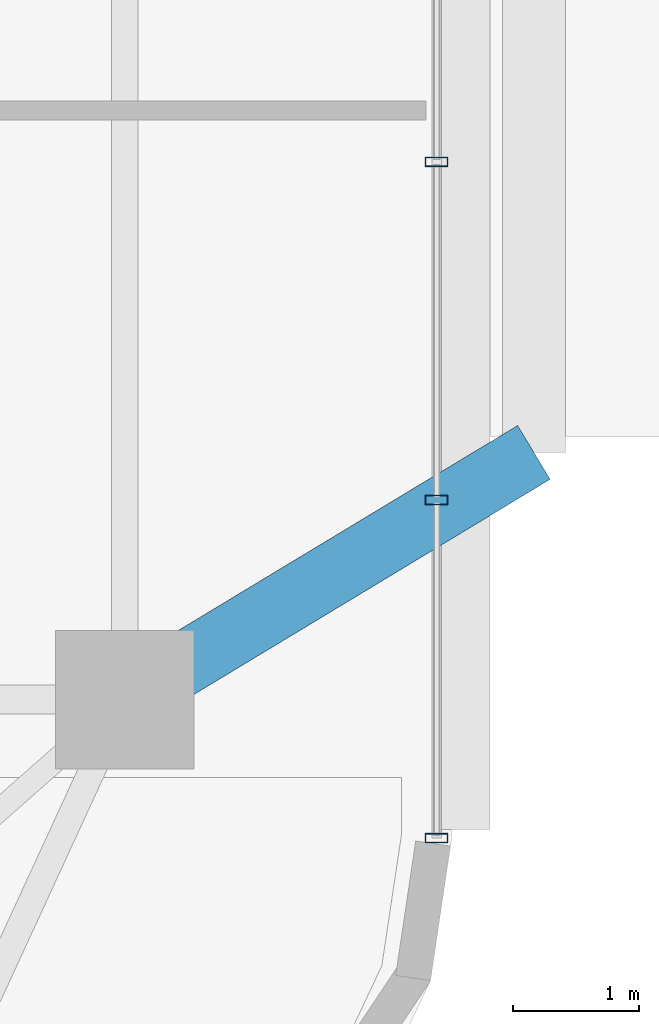
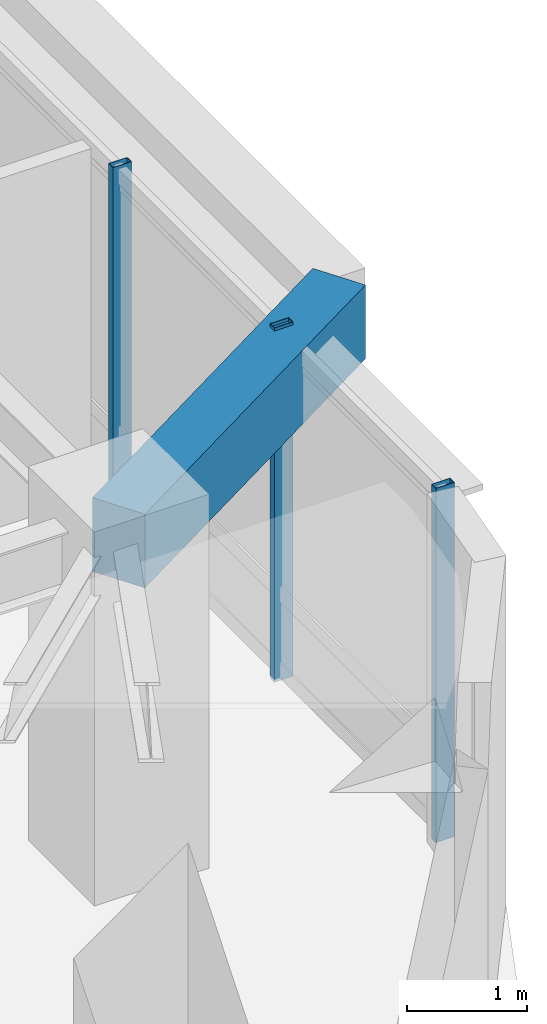
# One storey, part 2 of 15: 3 members, 1 beam, 1 element without a shape of its own.
"""IFC4 building model written with IfcOpenShell, lengths in metres."""

from ifc_helpers import new_model, si_unit, direction, frame, origin, origin_2d, place, context, subcontext, project, spatial, rectangle, hollow_rectangle, extrude, material, material_profile, profile_set, type_object, element, aggregate, save


model = new_model("IFC4")

# Units and contexts
model_context = context("Model", 3, precision=1e-05, world=origin(), true_north=direction((0.0, 1.0)))
body_context = subcontext(model_context, "Body", "Model", "MODEL_VIEW")
ifc_project = project(units=[si_unit("LENGTHUNIT", "METRE"), si_unit("AREAUNIT", "SQUARE_METRE"), si_unit("VOLUMEUNIT", "CUBIC_METRE"), si_unit("PLANEANGLEUNIT", "RADIAN"), si_unit("MASSUNIT", "GRAM", prefix="KILO")], contexts=[model_context])

# Site, building, storey
site_placement = place(None, origin())
site = spatial("IfcSite", under=ifc_project, at=site_placement, CompositionType="ELEMENT")
building_placement = place(site_placement, origin())
building = spatial("IfcBuilding", under=site, at=building_placement, Name="Zulverin Broadcast Headquarters", CompositionType="ELEMENT")
storey_placement = place(building_placement, frame((0.0, 0.0, 132.60009765625)))
storey = spatial("IfcBuildingStorey", under=building, at=storey_placement, Name="L33", CompositionType="ELEMENT", Elevation=132.60009765625)

# Beam
ifc_material_1 = material(Name="Concrete C40/50", Category="concrete")
ifc_material_profile_1 = material_profile(ifc_material_1, rectangle(XDim=0.5, YDim=0.75, at=origin_2d()), Name="Concrete C40/50", Category="concrete")
ifc_profile_set_1 = profile_set([ifc_material_profile_1], Name="Concrete C40/50")
beam_type = type_object("IfcBeamType", Name="BM-RC-500x750", PredefinedType="BEAM", material=ifc_profile_set_1)
beam_placement = place(storey_placement, frame((60.60009765625, 17.519287109375, 3.164794921875), z_axis=(0.856009727797, 0.516959714017, 0.0), x_axis=(-0.516959714017, 0.856009727797, 0.0)))
element("IfcBeam", 1, at=beam_placement, inside=storey, type_object=beam_type, Name="L34 Balcony Column-Framed Cantilever BAL_E-1", PredefinedType="BEAM", context=body_context, shape_type="SweptSolid", body=[
    extrude(rectangle(XDim=0.5, YDim=0.75, at=origin_2d()), origin(), (0.0, 0.0, 1.0), 3.7998046875),
])

# Curtain wall, members
ifc_material_2 = material(Name="Waist wind-pressure unitised curtain wall", Category="aluminium")
curtain_wall_type = type_object("IfcCurtainWallType", Name="CW-TWR-WST", PredefinedType="USERDEFINED", material=ifc_material_2)
curtain_wall_placement = place(storey_placement, origin())
curtain_wall = element("IfcCurtainWall", 2, at=curtain_wall_placement, inside=storey, type_object=curtain_wall_type, Name="L33 Unitised Curtain Wall CW-L33-E3", ObjectType="UNITISED CURTAIN WALL", PredefinedType="USERDEFINED")
ifc_material_3 = material(Name="Anodized pale-metal aluminium alloy 6063-T6", Category="aluminium")
ifc_material_profile_2 = material_profile(ifc_material_3, hollow_rectangle(XDim=0.074951171875, YDim=0.179931640625, WallThickness=0.0048828125, at=origin_2d()), Name="Anodized pale-metal aluminium alloy 6063-T6", Category="aluminium")
ifc_profile_set_2 = profile_set([ifc_material_profile_2], Name="Anodized pale-metal aluminium alloy 6063-T6")
member_type = type_object("IfcMemberType", Name="CW-MUL-180", PredefinedType="MULLION", material=ifc_profile_set_2)
member_1_placement = place(storey_placement, frame((63.080078125, 16.418212890625, -0.030029296875), z_axis=(0.0, 0.0, 1.0), x_axis=(0.0, 1.0, 0.0)))
member_1 = element("IfcMember", 3, at=member_1_placement, type_object=member_type, Name="CW-L33-E3 Mullion 00", PredefinedType="MULLION", context=body_context, shape_type="SweptSolid", body=[
    extrude(hollow_rectangle(XDim=0.074951171875, YDim=0.179931640625, WallThickness=0.0048828125, at=origin_2d()), origin(), (0.0, 0.0, 1.0), 3.599853515625),
])
member_2_placement = place(storey_placement, frame((63.080078125, 19.105712890625, -0.030029296875), z_axis=(0.0, 0.0, 1.0), x_axis=(0.0, 1.0, 0.0)))
member_2 = element("IfcMember", 4, at=member_2_placement, type_object=member_type, Name="CW-L33-E3 Mullion 01", PredefinedType="MULLION", context=body_context, shape_type="SweptSolid", body=[
    extrude(hollow_rectangle(XDim=0.074951171875, YDim=0.179931640625, WallThickness=0.0048828125, at=origin_2d()), origin(), (0.0, 0.0, 1.0), 3.599853515625),
])
member_3_placement = place(storey_placement, frame((63.080078125, 21.79296875, -0.030029296875), z_axis=(0.0, 0.0, 1.0), x_axis=(0.0, 1.0, 0.0)))
member_3 = element("IfcMember", 5, at=member_3_placement, type_object=member_type, Name="CW-L33-E3 Mullion 02", PredefinedType="MULLION", context=body_context, shape_type="SweptSolid", body=[
    extrude(hollow_rectangle(XDim=0.074951171875, YDim=0.179931640625, WallThickness=0.0048828125, at=origin_2d()), origin(), (0.0, 0.0, 1.0), 3.599853515625),
])
aggregate(curtain_wall, [member_1, member_2, member_3])

save(model, "model.ifc")
